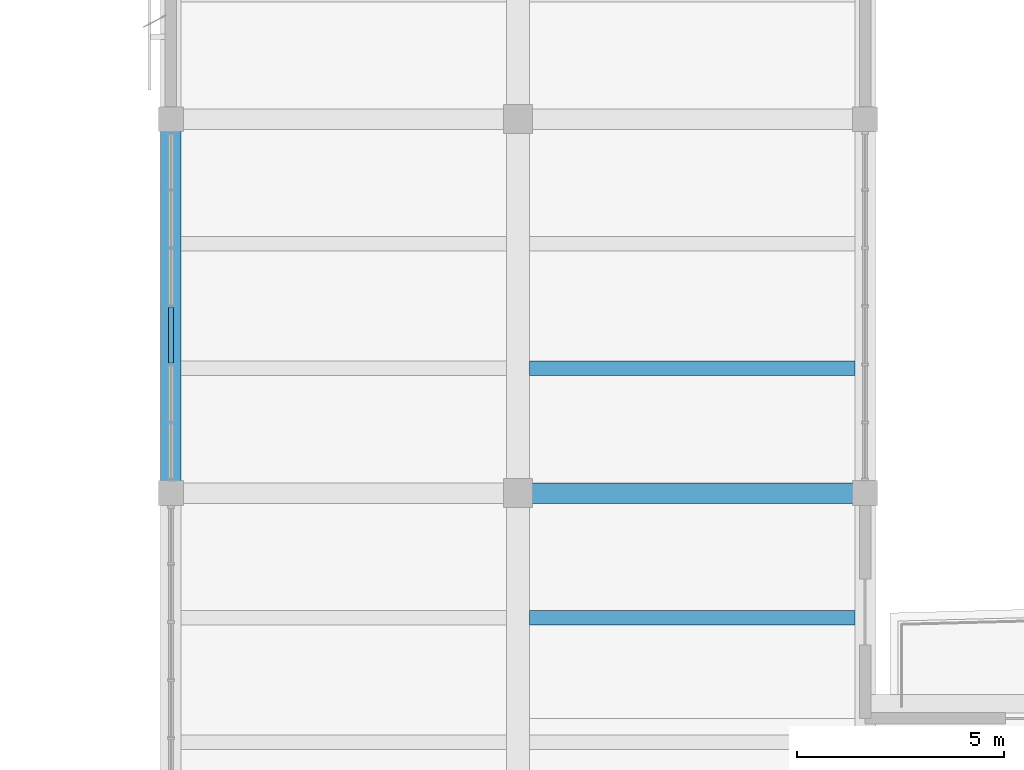
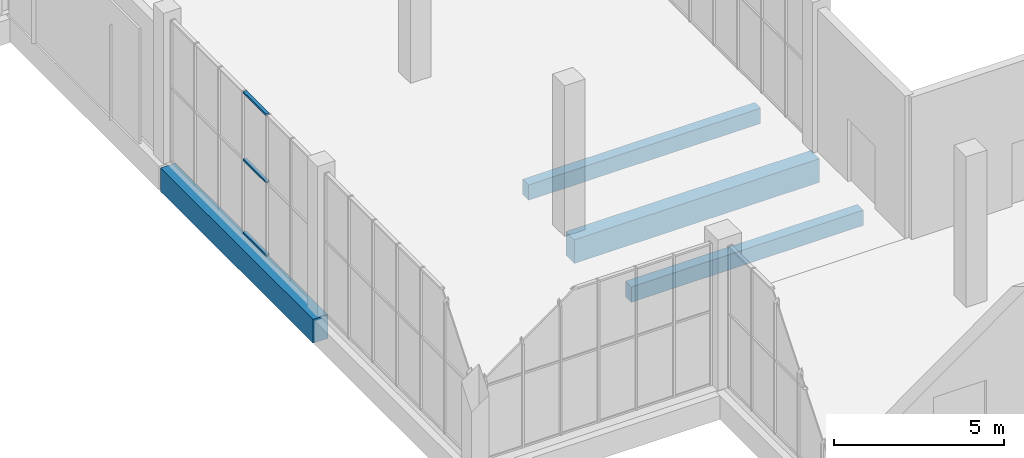
# One storey, part 15 of 132: 4 beams, 3 members, 1 element without a shape of its own.
"""IFC4 building model written with IfcOpenShell, lengths in metres."""

from ifc_helpers import new_model, si_unit, direction, frame, origin, origin_2d, place, context, subcontext, project, spatial, rectangle, hollow_rectangle, extrude, material, material_profile, profile_set, type_object, element, aggregate, save


model = new_model("IFC4")

# Units and contexts
model_context = context("Model", 3, precision=1e-05, world=origin(), true_north=direction((0.0, 1.0)))
body_context = subcontext(model_context, "Body", "Model", "MODEL_VIEW")
ifc_project = project(units=[si_unit("LENGTHUNIT", "METRE"), si_unit("AREAUNIT", "SQUARE_METRE"), si_unit("VOLUMEUNIT", "CUBIC_METRE"), si_unit("PLANEANGLEUNIT", "RADIAN"), si_unit("MASSUNIT", "GRAM", prefix="KILO")], contexts=[model_context])

# Site, building, storey
site_placement = place(None, origin())
site = spatial("IfcSite", under=ifc_project, at=site_placement, CompositionType="ELEMENT")
building_placement = place(site_placement, origin())
building = spatial("IfcBuilding", under=site, at=building_placement, Name="Khurvash Pelagic Aquarium", CompositionType="ELEMENT")
storey_placement = place(building_placement, frame((0.0, 0.0, 5.39990234375)))
storey = spatial("IfcBuildingStorey", under=building, at=storey_placement, Name="L01", CompositionType="ELEMENT", Elevation=5.39990234375)

# Beam
ifc_material_1 = material(Name="Concrete C40/50", Category="concrete")
ifc_material_profile_1 = material_profile(ifc_material_1, rectangle(XDim=0.5, YDim=0.85009765625, at=origin_2d()), Name="RC500X850")
ifc_profile_set_1 = profile_set([ifc_material_profile_1], Name="Concrete C40/50")
beam_type_1 = type_object("IfcBeamType", Name="BM-03", PredefinedType="BEAM", material=ifc_profile_set_1)
beam_1_placement = place(storey_placement, frame((25.239990234375, 38.800048828125, -0.744873046875), z_axis=(1.0, 0.0, 0.0), x_axis=(0.0, 1.0, 0.0)))
element("IfcBeam", 1, at=beam_1_placement, inside=storey, type_object=beam_type_1, Name="L01 Primary Girder BM-03 00290", PredefinedType="BEAM", context=body_context, shape_type="SweptSolid", body=[
    extrude(rectangle(XDim=0.5, YDim=0.85009765625, at=origin_2d()), origin(), (0.0, 0.0, 1.0), 8.320068359375),
])

# Curtain wall, members
ifc_material_2 = material(Name="Anodised aluminium and low-E laminated glass", Category="aluminium")
curtain_wall_type = type_object("IfcCurtainWallType", Name="CW-06", PredefinedType="USERDEFINED", material=ifc_material_2)
curtain_wall_placement = place(storey_placement, origin())
curtain_wall = element("IfcCurtainWall", 2, at=curtain_wall_placement, inside=storey, type_object=curtain_wall_type, Name="L01 Facade Unitised Curtain Wall CW-06 0128", ObjectType="UNITISED CURTAIN WALL", PredefinedType="USERDEFINED")
ifc_material_3 = material(Name="Extruded aluminium AW-6063-T6", Category="aluminium")
ifc_material_profile_2 = material_profile(ifc_material_3, hollow_rectangle(XDim=0.1201171875, YDim=0.06005859375, WallThickness=0.00390625, at=origin_2d()), Name="CWT120X60X4")
ifc_profile_set_2 = profile_set([ifc_material_profile_2], Name="Extruded aluminium AW-6063-T6")
member_type = type_object("IfcMemberType", Name="CT-02", PredefinedType="USERDEFINED", material=ifc_profile_set_2)
member_1_placement = place(storey_placement, frame((16.800048828125, 43.294921875, 0.030029296875), z_axis=(0.0, -1.0, 0.0), x_axis=(1.0, 0.0, 0.0)))
member_1 = element("IfcMember", 3, at=member_1_placement, type_object=member_type, Name="CW-06 transom 4.1", ObjectType="TRANSOM", PredefinedType="USERDEFINED", context=body_context, shape_type="SweptSolid", body=[
    extrude(hollow_rectangle(XDim=0.1201171875, YDim=0.06005859375, WallThickness=0.00390625, at=origin_2d()), origin(), (0.0, 0.0, 1.0), 1.3466796875),
])
member_2_placement = place(storey_placement, frame((16.800048828125, 43.294921875, 2.652099609375), z_axis=(0.0, -1.0, 0.0), x_axis=(1.0, 0.0, 0.0)))
member_2 = element("IfcMember", 4, at=member_2_placement, type_object=member_type, Name="CW-06 transom 4.2", ObjectType="TRANSOM", PredefinedType="USERDEFINED", context=body_context, shape_type="SweptSolid", body=[
    extrude(hollow_rectangle(XDim=0.1201171875, YDim=0.06005859375, WallThickness=0.00390625, at=origin_2d()), origin(), (0.0, 0.0, 1.0), 1.3466796875),
])
member_3_placement = place(storey_placement, frame((16.800048828125, 43.294921875, 5.070068359375), z_axis=(0.0, -1.0, 0.0), x_axis=(1.0, 0.0, 0.0)))
member_3 = element("IfcMember", 5, at=member_3_placement, type_object=member_type, Name="CW-06 transom 4.3", ObjectType="TRANSOM", PredefinedType="USERDEFINED", context=body_context, shape_type="SweptSolid", body=[
    extrude(hollow_rectangle(XDim=0.1201171875, YDim=0.06005859375, WallThickness=0.00390625, at=origin_2d()), origin(), (0.0, 0.0, 1.0), 1.3466796875),
])
aggregate(curtain_wall, [member_1, member_2, member_3])

# Beams
ifc_material_4 = material(Name="Concrete C35/45", Category="concrete")
ifc_material_profile_3 = material_profile(ifc_material_4, rectangle(XDim=0.35009765625, YDim=0.550048828125, at=origin_2d()), Name="RC350X550")
ifc_profile_set_3 = profile_set([ifc_material_profile_3], Name="Concrete C35/45")
beam_type_2 = type_object("IfcBeamType", Name="JS-01", PredefinedType="JOIST", material=ifc_profile_set_3)
for number, where, z_axis, x_axis, name in (
    (6, (25.47509765625, 35.782958984375, -0.5849609375), (1.0, 0.0, 0.0), (0.0, 1.0, 0.0), "L01 Floor Joist JS-01 00463"),
    (7, (25.47509765625, 41.81689453125, -0.5849609375), (1.0, 0.0, 0.0), (0.0, 1.0, 0.0), "L01 Floor Joist JS-01 00464"),
):
    element("IfcBeam", number, at=place(storey_placement, frame(where, z_axis=z_axis, x_axis=x_axis)), inside=storey, type_object=beam_type_2, Name=name, PredefinedType="JOIST", context=body_context, shape_type="SweptSolid", body=[
        extrude(rectangle(XDim=0.35009765625, YDim=0.550048828125, at=origin_2d()), origin(), (0.0, 0.0, 1.0), 7.875),
    ])
ifc_material_profile_4 = material_profile(ifc_material_1, rectangle(XDim=0.5, YDim=0.85009765625, at=origin_2d()), Name="RC500X850")
ifc_profile_set_4 = profile_set([ifc_material_profile_4], Name="Concrete C40/50")
beam_type_3 = type_object("IfcBeamType", Name="SEB-03", PredefinedType="SPANDREL", material=ifc_profile_set_4)
beam_2_placement = place(storey_placement, frame((16.800048828125, 38.840087890625, -0.73486328125), z_axis=(0.0, 1.0, 0.0), x_axis=(-1.0, 0.0, 0.0)))
element("IfcBeam", 8, at=beam_2_placement, inside=storey, type_object=beam_type_3, Name="L01 Primary Girder SEB-03 00353", PredefinedType="SPANDREL", context=body_context, shape_type="SweptSolid", body=[
    extrude(rectangle(XDim=0.5, YDim=0.85009765625, at=origin_2d()), origin(), (0.0, 0.0, 1.0), 8.969970703125),
])

save(model, "model.ifc")
